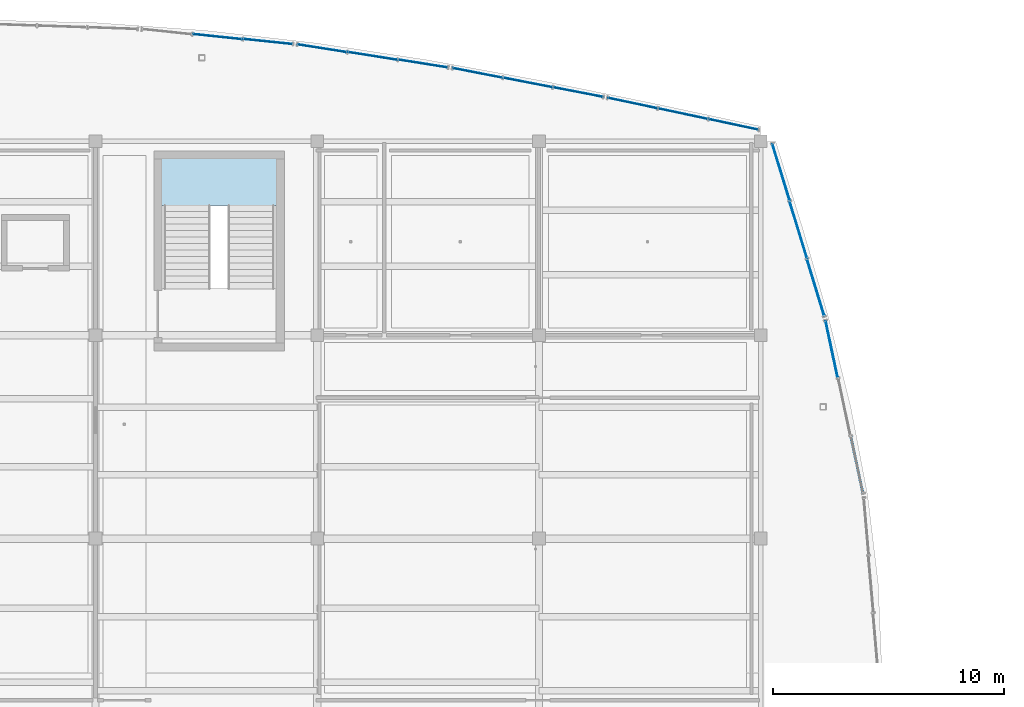
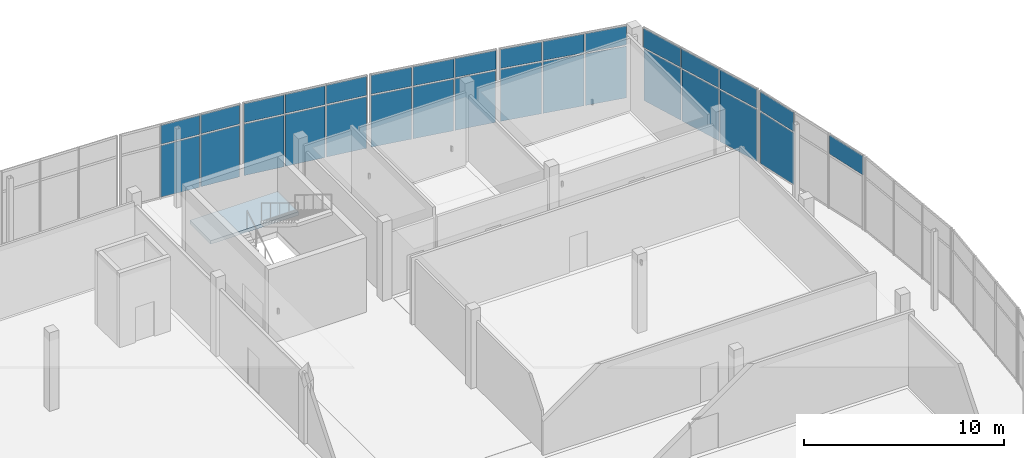
# One storey, part 125 of 157: 31 plates, 1 slab, 7 elements without a shape of their own.
"""IFC4 building model written with IfcOpenShell, lengths in metres."""

from ifc_helpers import new_model, si_unit, direction, frame, origin, origin_2d, place, context, subcontext, project, spatial, polyline, rectangle, outline, extrude, material, layer, layer_set, type_object, element, aggregate, save


model = new_model("IFC4")

# Units and contexts
model_context = context("Model", 3, precision=1e-05, world=origin(), true_north=direction((0.0, 1.0)))
body_context = subcontext(model_context, "Body", "Model", "MODEL_VIEW")
ifc_project = project(units=[si_unit("LENGTHUNIT", "METRE"), si_unit("AREAUNIT", "SQUARE_METRE"), si_unit("VOLUMEUNIT", "CUBIC_METRE"), si_unit("PLANEANGLEUNIT", "RADIAN"), si_unit("MASSUNIT", "GRAM", prefix="KILO")], contexts=[model_context])

# Site, building, storey
site_placement = place(None, origin())
site = spatial("IfcSite", under=ifc_project, at=site_placement, CompositionType="ELEMENT")
building_placement = place(site_placement, origin())
building = spatial("IfcBuilding", under=site, at=building_placement, Name="Chalmorin Arch Market", CompositionType="ELEMENT")
storey_placement = place(building_placement, frame((0.0, 0.0, 4.800048828125)))
storey = spatial("IfcBuildingStorey", under=building, at=storey_placement, Name="L01", CompositionType="ELEMENT", Elevation=4.800048828125)

# Curtain wall, plates
ifc_material_1 = material(Name="Aluminium 6063-T6", Category="aluminium")
ifc_layer_1 = layer(ifc_material_1, 0.159912109375)
ifc_layer_set_1 = layer_set([ifc_layer_1], Name="Aluminium 6063-T6")
curtain_wall_type_1 = type_object("IfcCurtainWallType", Name="CulinaryStudioCurtainWall-CW3-7670x4520", PredefinedType="NOTDEFINED", material=ifc_layer_set_1)
curtain_wall_1_placement = place(storey_placement, origin())
curtain_wall_1 = element("IfcCurtainWall", 1, at=curtain_wall_1_placement, inside=storey, type_object=curtain_wall_type_1, Name="CW-03-187", PredefinedType="NOTDEFINED")
ifc_material_2 = material(Name="Powder-coated Aluminium Panel", Category="aluminium")
ifc_layer_2 = layer(ifc_material_2, 0.0400390625)
ifc_layer_set_2 = layer_set([ifc_layer_2], Name="Powder-coated Aluminium Panel")
plate_type_1 = type_object("IfcPlateType", Name="ShadowboxSpandrelPanel-40", PredefinedType="CURTAIN_PANEL", material=ifc_layer_set_2)
plate_1_placement = place(storey_placement, frame((119.37060546875, 104.00341796875, 3.29931640625), z_axis=(0.0, 0.0, 1.0), x_axis=(-0.207911690818, 0.978147600734, 0.0)))
plate_1 = element("IfcPlate", 2, at=plate_1_placement, type_object=plate_type_1, Name="SP-40-187-01B", PredefinedType="CURTAIN_PANEL", context=body_context, shape_type="SweptSolid", body=[
    extrude(rectangle(XDim=2.476318359375, YDim=0.0400390625, at=origin_2d()), origin(), (0.0, 0.0, 1.0), 1.150634765625),
])
plate_2_placement = place(storey_placement, frame((118.2734375, 108.99658203125, 3.29931640625), z_axis=(0.0, 0.0, 1.0), x_axis=(-0.207911690818, 0.978147600734, 0.0)))
plate_2 = element("IfcPlate", 3, at=plate_2_placement, type_object=plate_type_1, Name="SP-40-187-03B", PredefinedType="CURTAIN_PANEL", context=body_context, shape_type="SweptSolid", body=[
    extrude(rectangle(XDim=2.476318359375, YDim=0.0400390625, at=origin_2d()), origin(), (0.0, 0.0, 1.0), 1.150634765625),
])

ifc_layer_3 = layer(ifc_material_1, 0.159912109375)
ifc_layer_set_3 = layer_set([ifc_layer_3], Name="Aluminium 6063-T6")
curtain_wall_type_2 = type_object("IfcCurtainWallType", Name="CulinaryStudioCurtainWall-CW3-7820x4520", PredefinedType="NOTDEFINED", material=ifc_layer_set_3)
curtain_wall_2_placement = place(storey_placement, origin())
curtain_wall_2 = element("IfcCurtainWall", 4, at=curtain_wall_2_placement, inside=storey, type_object=curtain_wall_type_2, Name="CW-03-189", PredefinedType="NOTDEFINED")
plate_3_placement = place(storey_placement, frame((117.579345703125, 111.668212890625, 3.29931640625), z_axis=(0.0, 0.0, 1.0), x_axis=(-0.292371704723, 0.956304755963, 0.0)))
plate_3 = element("IfcPlate", 5, at=plate_3_placement, type_object=plate_type_1, Name="SP-40-189-01B", PredefinedType="CURTAIN_PANEL", context=body_context, shape_type="SweptSolid", body=[
    extrude(rectangle(XDim=2.5283203125, YDim=0.0400390625, at=origin_2d()), origin(), (0.0, 0.0, 1.0), 1.150634765625),
])
plate_4_placement = place(storey_placement, frame((116.830078125, 114.16650390625, 3.29931640625), z_axis=(0.0, 0.0, 1.0), x_axis=(-0.292371704723, 0.956304755963, 0.0)))
plate_4 = element("IfcPlate", 6, at=plate_4_placement, type_object=plate_type_1, Name="SP-40-189-02B", PredefinedType="CURTAIN_PANEL", context=body_context, shape_type="SweptSolid", body=[
    extrude(rectangle(XDim=2.5283203125, YDim=0.0400390625, at=origin_2d()), origin(), (0.0, 0.0, 1.0), 1.150634765625),
])
plate_5_placement = place(storey_placement, frame((116.08056640625, 116.664794921875, 3.29931640625), z_axis=(0.0, 0.0, 1.0), x_axis=(-0.292371704723, 0.956304755963, 0.0)))
plate_5 = element("IfcPlate", 7, at=plate_5_placement, type_object=plate_type_1, Name="SP-40-189-03B", PredefinedType="CURTAIN_PANEL", context=body_context, shape_type="SweptSolid", body=[
    extrude(rectangle(XDim=2.5283203125, YDim=0.0400390625, at=origin_2d()), origin(), (0.0, 0.0, 1.0), 1.150634765625),
])

# Stair, slab
ifc_material_3 = material(Name="Concrete C40/50", Category="concrete")
stair_type = type_object("IfcStairType", Name="DoglegExitStair-28R-SC6", PredefinedType="HALF_TURN_STAIR", material=ifc_material_3)
stair_placement = place(storey_placement, origin())
stair = element("IfcStair", 8, at=stair_placement, inside=storey, type_object=stair_type, Name="ST-17", PredefinedType="HALF_TURN_STAIR")
ifc_layer_4 = layer(ifc_material_3, 0.205078125)
ifc_layer_set_4 = layer_set([ifc_layer_4], Name="Concrete C40/50")
slab_type = type_object("IfcSlabType", Name="StairLandingSlab-205", PredefinedType="LANDING", material=ifc_layer_set_4)
slab_placement = place(storey_placement, frame((0.0, 0.0, 2.195068359375)))
slab = element("IfcSlab", 9, at=slab_placement, type_object=slab_type, Name="LS-017", PredefinedType="LANDING", context=body_context, shape_type="SweptSolid", body=[
    extrude(outline(polyline([(89.219970703125, 115.2099609375), (94.280029296875, 115.2099609375), (94.280029296875, 117.280029296875), (89.219970703125, 117.280029296875), (89.219970703125, 115.2099609375)])), origin(), (0.0, 0.0, 1.0), 0.204833984375),
])
aggregate(stair, [slab])

# Curtain wall, plates
ifc_layer_5 = layer(ifc_material_1, 0.159912109375)
ifc_layer_set_5 = layer_set([ifc_layer_5], Name="Aluminium 6063-T6")
curtain_wall_type_3 = type_object("IfcCurtainWallType", Name="CulinaryStudioCurtainWall-CW3-6570x4520", PredefinedType="NOTDEFINED", material=ifc_layer_set_5)
curtain_wall_3_placement = place(storey_placement, origin())
curtain_wall_3 = element("IfcCurtainWall", 10, at=curtain_wall_3_placement, inside=storey, type_object=curtain_wall_type_3, Name="CW-03-139", PredefinedType="NOTDEFINED")
ifc_material_4 = material(Name="Architectural Terracotta", Category="masonry")
ifc_layer_6 = layer(ifc_material_4, 0.044921875)
ifc_layer_set_6 = layer_set([ifc_layer_6], Name="Architectural Terracotta")
plate_type_2 = type_object("IfcPlateType", Name="TerracottaSpandrelPanel-45", PredefinedType="CURTAIN_PANEL", material=ifc_layer_set_6)
plate_6_placement = place(storey_placement, frame((91.679931640625, 122.528076171875, 3.29931640625), z_axis=(0.0, 0.0, 1.0), x_axis=(0.994521895368, -0.104528463268, 0.0)))
plate_6 = element("IfcPlate", 11, at=plate_6_placement, type_object=plate_type_2, Name="SP-45-139-02B", PredefinedType="CURTAIN_PANEL", context=body_context, shape_type="SweptSolid", body=[
    extrude(rectangle(XDim=2.110595703125, YDim=0.044921875, at=origin_2d()), origin(), (0.0, 0.0, 1.0), 1.150634765625),
])
plate_7_placement = place(storey_placement, frame((93.8603515625, 122.31591796875, 3.29931640625), z_axis=(0.0, 0.0, 1.0), x_axis=(0.994521895368, -0.104528463268, 0.0)))
plate_7 = element("IfcPlate", 12, at=plate_7_placement, type_object=plate_type_2, Name="SP-45-139-03B", PredefinedType="CURTAIN_PANEL", context=body_context, shape_type="SweptSolid", body=[
    extrude(rectangle(XDim=2.110595703125, YDim=0.044921875, at=origin_2d()), origin(), (0.0, 0.0, 1.0), 1.150634765625),
])

ifc_layer_7 = layer(ifc_material_1, 0.159912109375)
ifc_layer_set_7 = layer_set([ifc_layer_7], Name="Aluminium 6063-T6")
curtain_wall_type_4 = type_object("IfcCurtainWallType", Name="CulinaryStudioCurtainWall-CW3-6620x4520", PredefinedType="NOTDEFINED", material=ifc_layer_set_7)
curtain_wall_4_placement = place(storey_placement, origin())
curtain_wall_4 = element("IfcCurtainWall", 13, at=curtain_wall_4_placement, inside=storey, type_object=curtain_wall_type_4, Name="CW-03-142", PredefinedType="NOTDEFINED")
plate_8_placement = place(storey_placement, frame((96.21923828125, 122.0224609375, 3.29931640625), z_axis=(0.0, 0.0, 1.0), x_axis=(0.987688340595, -0.15643446504, 0.0)))
plate_8 = element("IfcPlate", 14, at=plate_8_placement, type_object=plate_type_2, Name="SP-45-142-01B", PredefinedType="CURTAIN_PANEL", context=body_context, shape_type="SweptSolid", body=[
    extrude(rectangle(XDim=2.12548828125, YDim=0.044921875, at=origin_2d()), origin(), (0.0, 0.0, 1.0), 1.150634765625),
])
plate_9_placement = place(storey_placement, frame((98.39990234375, 121.6923828125, 3.29931640625), z_axis=(0.0, 0.0, 1.0), x_axis=(0.987688340595, -0.15643446504, 0.0)))
plate_9 = element("IfcPlate", 15, at=plate_9_placement, type_object=plate_type_2, Name="SP-45-142-02B", PredefinedType="CURTAIN_PANEL", context=body_context, shape_type="SweptSolid", body=[
    extrude(rectangle(XDim=2.12548828125, YDim=0.044921875, at=origin_2d()), origin(), (0.0, 0.0, 1.0), 1.150634765625),
])
plate_10_placement = place(storey_placement, frame((100.580810546875, 121.362548828125, 3.29931640625), z_axis=(0.0, 0.0, 1.0), x_axis=(0.987688340595, -0.15643446504, 0.0)))
plate_10 = element("IfcPlate", 16, at=plate_10_placement, type_object=plate_type_2, Name="SP-45-142-03B", PredefinedType="CURTAIN_PANEL", context=body_context, shape_type="SweptSolid", body=[
    extrude(rectangle(XDim=2.12548828125, YDim=0.044921875, at=origin_2d()), origin(), (0.0, 0.0, 1.0), 1.150634765625),
])

ifc_layer_8 = layer(ifc_material_1, 0.159912109375)
ifc_layer_set_8 = layer_set([ifc_layer_8], Name="Aluminium 6063-T6")
curtain_wall_type_5 = type_object("IfcCurtainWallType", Name="CulinaryStudioCurtainWall-CW3-6660x4520", PredefinedType="NOTDEFINED", material=ifc_layer_set_8)
curtain_wall_5_placement = place(storey_placement, origin())
curtain_wall_5 = element("IfcCurtainWall", 17, at=curtain_wall_5_placement, inside=storey, type_object=curtain_wall_type_5, Name="CW-03-145", PredefinedType="NOTDEFINED")
plate_11_placement = place(storey_placement, frame((102.93896484375, 120.958984375, 3.29931640625), z_axis=(0.0, 0.0, 1.0), x_axis=(0.981627183448, -0.190808995377, 0.0)))
plate_11 = element("IfcPlate", 18, at=plate_11_placement, type_object=plate_type_2, Name="SP-45-145-01B", PredefinedType="CURTAIN_PANEL", context=body_context, shape_type="SweptSolid", body=[
    extrude(rectangle(XDim=2.140380859375, YDim=0.044921875, at=origin_2d()), origin(), (0.0, 0.0, 1.0), 1.150634765625),
])
plate_12_placement = place(storey_placement, frame((105.1201171875, 120.54248046875, 3.29931640625), z_axis=(0.0, 0.0, 1.0), x_axis=(0.981627183448, -0.190808995377, 0.0)))
plate_12 = element("IfcPlate", 19, at=plate_12_placement, type_object=plate_type_2, Name="SP-45-145-02B", PredefinedType="CURTAIN_PANEL", context=body_context, shape_type="SweptSolid", body=[
    extrude(rectangle(XDim=2.140380859375, YDim=0.044921875, at=origin_2d()), origin(), (0.0, 0.0, 1.0), 1.150634765625),
])
plate_13_placement = place(storey_placement, frame((107.301025390625, 120.126220703125, 3.29931640625), z_axis=(0.0, 0.0, 1.0), x_axis=(0.981627183448, -0.190808995377, 0.0)))
plate_13 = element("IfcPlate", 20, at=plate_13_placement, type_object=plate_type_2, Name="SP-45-145-03B", PredefinedType="CURTAIN_PANEL", context=body_context, shape_type="SweptSolid", body=[
    extrude(rectangle(XDim=2.140380859375, YDim=0.044921875, at=origin_2d()), origin(), (0.0, 0.0, 1.0), 1.150634765625),
])

ifc_layer_9 = layer(ifc_material_1, 0.159912109375)
ifc_layer_set_9 = layer_set([ifc_layer_9], Name="Aluminium 6063-T6")
curtain_wall_type_6 = type_object("IfcCurtainWallType", Name="CulinaryStudioCurtainWall-CW3-6690x4520", PredefinedType="NOTDEFINED", material=ifc_layer_set_9)
curtain_wall_6_placement = place(storey_placement, origin())
curtain_wall_6 = element("IfcCurtainWall", 21, at=curtain_wall_6_placement, inside=storey, type_object=curtain_wall_type_6, Name="CW-03-148", PredefinedType="NOTDEFINED")
plate_14_placement = place(storey_placement, frame((109.65869140625, 119.65185546875, 3.29931640625), z_axis=(0.0, 0.0, 1.0), x_axis=(0.978147600734, -0.207911690818, 0.0)))
plate_14 = element("IfcPlate", 22, at=plate_14_placement, type_object=plate_type_2, Name="SP-45-148-01B", PredefinedType="CURTAIN_PANEL", context=body_context, shape_type="SweptSolid", body=[
    extrude(rectangle(XDim=2.1494140625, YDim=0.044921875, at=origin_2d()), origin(), (0.0, 0.0, 1.0), 1.150634765625),
])
plate_15_placement = place(storey_placement, frame((111.840087890625, 119.1904296875, 3.29931640625), z_axis=(0.0, 0.0, 1.0), x_axis=(0.978147600734, -0.207911690818, 0.0)))
plate_15 = element("IfcPlate", 23, at=plate_15_placement, type_object=plate_type_2, Name="SP-45-148-02B", PredefinedType="CURTAIN_PANEL", context=body_context, shape_type="SweptSolid", body=[
    extrude(rectangle(XDim=2.1494140625, YDim=0.044921875, at=origin_2d()), origin(), (0.0, 0.0, 1.0), 1.150634765625),
])
plate_16_placement = place(storey_placement, frame((114.021240234375, 118.729248046875, 3.29931640625), z_axis=(0.0, 0.0, 1.0), x_axis=(0.978147600734, -0.207911690818, 0.0)))
plate_16 = element("IfcPlate", 24, at=plate_16_placement, type_object=plate_type_2, Name="SP-45-148-03B", PredefinedType="CURTAIN_PANEL", context=body_context, shape_type="SweptSolid", body=[
    extrude(rectangle(XDim=2.1494140625, YDim=0.044921875, at=origin_2d()), origin(), (0.0, 0.0, 1.0), 1.150634765625),
])

# Plate
ifc_material_5 = material(Name="Low-E Tempered Glass", Category="glass")
ifc_layer_10 = layer(ifc_material_5, 0.028076171875)
ifc_layer_set_10 = layer_set([ifc_layer_10], Name="Low-E Tempered Glass")
plate_type_3 = type_object("IfcPlateType", Name="VisionIGUPanel-28", PredefinedType="CURTAIN_PANEL", material=ifc_layer_set_10)
plate_17_placement = place(storey_placement, frame((91.679931640625, 122.528076171875, 0.06982421875), z_axis=(0.0, 0.0, 1.0), x_axis=(0.994521895368, -0.104528463268, 0.0)))
plate_17 = element("IfcPlate", 25, at=plate_17_placement, type_object=plate_type_3, Name="GL-28-139-02A", PredefinedType="CURTAIN_PANEL", context=body_context, shape_type="SweptSolid", body=[
    extrude(rectangle(XDim=2.110595703125, YDim=0.028076171875, at=origin_2d()), origin(), (0.0, 0.0, 1.0), 3.139404296875),
])

plate_18_placement = place(storey_placement, frame((93.8603515625, 122.31591796875, 0.06982421875), z_axis=(0.0, 0.0, 1.0), x_axis=(0.994521895368, -0.104528463268, 0.0)))
plate_18 = element("IfcPlate", 26, at=plate_18_placement, type_object=plate_type_3, Name="GL-28-139-03A", PredefinedType="CURTAIN_PANEL", context=body_context, shape_type="SweptSolid", body=[
    extrude(rectangle(XDim=2.110595703125, YDim=0.028076171875, at=origin_2d()), origin(), (0.0, 0.0, 1.0), 3.139404296875),
])

aggregate(curtain_wall_3, [plate_17, plate_6, plate_18, plate_7])

plate_19_placement = place(storey_placement, frame((96.21923828125, 122.0224609375, 0.06982421875), z_axis=(0.0, 0.0, 1.0), x_axis=(0.987688340595, -0.15643446504, 0.0)))
plate_19 = element("IfcPlate", 27, at=plate_19_placement, type_object=plate_type_3, Name="GL-28-142-01A", PredefinedType="CURTAIN_PANEL", context=body_context, shape_type="SweptSolid", body=[
    extrude(rectangle(XDim=2.12548828125, YDim=0.028076171875, at=origin_2d()), origin(), (0.0, 0.0, 1.0), 3.139404296875),
])

plate_20_placement = place(storey_placement, frame((98.39990234375, 121.6923828125, 0.06982421875), z_axis=(0.0, 0.0, 1.0), x_axis=(0.987688340595, -0.15643446504, 0.0)))
plate_20 = element("IfcPlate", 28, at=plate_20_placement, type_object=plate_type_3, Name="GL-28-142-02A", PredefinedType="CURTAIN_PANEL", context=body_context, shape_type="SweptSolid", body=[
    extrude(rectangle(XDim=2.12548828125, YDim=0.028076171875, at=origin_2d()), origin(), (0.0, 0.0, 1.0), 3.139404296875),
])

plate_21_placement = place(storey_placement, frame((100.580810546875, 121.362548828125, 0.06982421875), z_axis=(0.0, 0.0, 1.0), x_axis=(0.987688340595, -0.15643446504, 0.0)))
plate_21 = element("IfcPlate", 29, at=plate_21_placement, type_object=plate_type_3, Name="GL-28-142-03A", PredefinedType="CURTAIN_PANEL", context=body_context, shape_type="SweptSolid", body=[
    extrude(rectangle(XDim=2.12548828125, YDim=0.028076171875, at=origin_2d()), origin(), (0.0, 0.0, 1.0), 3.139404296875),
])

aggregate(curtain_wall_4, [plate_19, plate_8, plate_20, plate_9, plate_21, plate_10])

plate_22_placement = place(storey_placement, frame((102.93896484375, 120.958984375, 0.06982421875), z_axis=(0.0, 0.0, 1.0), x_axis=(0.981627183448, -0.190808995377, 0.0)))
plate_22 = element("IfcPlate", 30, at=plate_22_placement, type_object=plate_type_3, Name="GL-28-145-01A", PredefinedType="CURTAIN_PANEL", context=body_context, shape_type="SweptSolid", body=[
    extrude(rectangle(XDim=2.140380859375, YDim=0.028076171875, at=origin_2d()), origin(), (0.0, 0.0, 1.0), 3.139404296875),
])

plate_23_placement = place(storey_placement, frame((105.1201171875, 120.54248046875, 0.06982421875), z_axis=(0.0, 0.0, 1.0), x_axis=(0.981627183448, -0.190808995377, 0.0)))
plate_23 = element("IfcPlate", 31, at=plate_23_placement, type_object=plate_type_3, Name="GL-28-145-02A", PredefinedType="CURTAIN_PANEL", context=body_context, shape_type="SweptSolid", body=[
    extrude(rectangle(XDim=2.140380859375, YDim=0.028076171875, at=origin_2d()), origin(), (0.0, 0.0, 1.0), 3.139404296875),
])

plate_24_placement = place(storey_placement, frame((107.301025390625, 120.126220703125, 0.06982421875), z_axis=(0.0, 0.0, 1.0), x_axis=(0.981627183448, -0.190808995377, 0.0)))
plate_24 = element("IfcPlate", 32, at=plate_24_placement, type_object=plate_type_3, Name="GL-28-145-03A", PredefinedType="CURTAIN_PANEL", context=body_context, shape_type="SweptSolid", body=[
    extrude(rectangle(XDim=2.140380859375, YDim=0.028076171875, at=origin_2d()), origin(), (0.0, 0.0, 1.0), 3.139404296875),
])

aggregate(curtain_wall_5, [plate_22, plate_11, plate_23, plate_12, plate_24, plate_13])

plate_25_placement = place(storey_placement, frame((109.65869140625, 119.65185546875, 0.06982421875), z_axis=(0.0, 0.0, 1.0), x_axis=(0.978147600734, -0.207911690818, 0.0)))
plate_25 = element("IfcPlate", 33, at=plate_25_placement, type_object=plate_type_3, Name="GL-28-148-01A", PredefinedType="CURTAIN_PANEL", context=body_context, shape_type="SweptSolid", body=[
    extrude(rectangle(XDim=2.1494140625, YDim=0.028076171875, at=origin_2d()), origin(), (0.0, 0.0, 1.0), 3.139404296875),
])

plate_26_placement = place(storey_placement, frame((111.840087890625, 119.1904296875, 0.06982421875), z_axis=(0.0, 0.0, 1.0), x_axis=(0.978147600734, -0.207911690818, 0.0)))
plate_26 = element("IfcPlate", 34, at=plate_26_placement, type_object=plate_type_3, Name="GL-28-148-02A", PredefinedType="CURTAIN_PANEL", context=body_context, shape_type="SweptSolid", body=[
    extrude(rectangle(XDim=2.1494140625, YDim=0.028076171875, at=origin_2d()), origin(), (0.0, 0.0, 1.0), 3.139404296875),
])

plate_27_placement = place(storey_placement, frame((114.021240234375, 118.729248046875, 0.06982421875), z_axis=(0.0, 0.0, 1.0), x_axis=(0.978147600734, -0.207911690818, 0.0)))
plate_27 = element("IfcPlate", 35, at=plate_27_placement, type_object=plate_type_3, Name="GL-28-148-03A", PredefinedType="CURTAIN_PANEL", context=body_context, shape_type="SweptSolid", body=[
    extrude(rectangle(XDim=2.1494140625, YDim=0.028076171875, at=origin_2d()), origin(), (0.0, 0.0, 1.0), 3.139404296875),
])

aggregate(curtain_wall_6, [plate_25, plate_14, plate_26, plate_15, plate_27, plate_16])

plate_28_placement = place(storey_placement, frame((118.2734375, 108.99658203125, 0.06982421875), z_axis=(0.0, 0.0, 1.0), x_axis=(-0.207911690818, 0.978147600734, 0.0)))
plate_28 = element("IfcPlate", 36, at=plate_28_placement, type_object=plate_type_3, Name="GL-28-187-03A", PredefinedType="CURTAIN_PANEL", context=body_context, shape_type="SweptSolid", body=[
    extrude(rectangle(XDim=2.476318359375, YDim=0.028076171875, at=origin_2d()), origin(), (0.0, 0.0, 1.0), 3.139404296875),
])

aggregate(curtain_wall_1, [plate_1, plate_28, plate_2])

plate_29_placement = place(storey_placement, frame((117.579345703125, 111.668212890625, 0.06982421875), z_axis=(0.0, 0.0, 1.0), x_axis=(-0.292371704723, 0.956304755963, 0.0)))
plate_29 = element("IfcPlate", 37, at=plate_29_placement, type_object=plate_type_3, Name="GL-28-189-01A", PredefinedType="CURTAIN_PANEL", context=body_context, shape_type="SweptSolid", body=[
    extrude(rectangle(XDim=2.5283203125, YDim=0.028076171875, at=origin_2d()), origin(), (0.0, 0.0, 1.0), 3.139404296875),
])

plate_30_placement = place(storey_placement, frame((116.830078125, 114.16650390625, 0.06982421875), z_axis=(0.0, 0.0, 1.0), x_axis=(-0.292371704723, 0.956304755963, 0.0)))
plate_30 = element("IfcPlate", 38, at=plate_30_placement, type_object=plate_type_3, Name="GL-28-189-02A", PredefinedType="CURTAIN_PANEL", context=body_context, shape_type="SweptSolid", body=[
    extrude(rectangle(XDim=2.5283203125, YDim=0.028076171875, at=origin_2d()), origin(), (0.0, 0.0, 1.0), 3.139404296875),
])

plate_31_placement = place(storey_placement, frame((116.08056640625, 116.664794921875, 0.06982421875), z_axis=(0.0, 0.0, 1.0), x_axis=(-0.292371704723, 0.956304755963, 0.0)))
plate_31 = element("IfcPlate", 39, at=plate_31_placement, type_object=plate_type_3, Name="GL-28-189-03A", PredefinedType="CURTAIN_PANEL", context=body_context, shape_type="SweptSolid", body=[
    extrude(rectangle(XDim=2.5283203125, YDim=0.028076171875, at=origin_2d()), origin(), (0.0, 0.0, 1.0), 3.139404296875),
])

aggregate(curtain_wall_2, [plate_29, plate_3, plate_30, plate_4, plate_31, plate_5])

save(model, "model.ifc")
